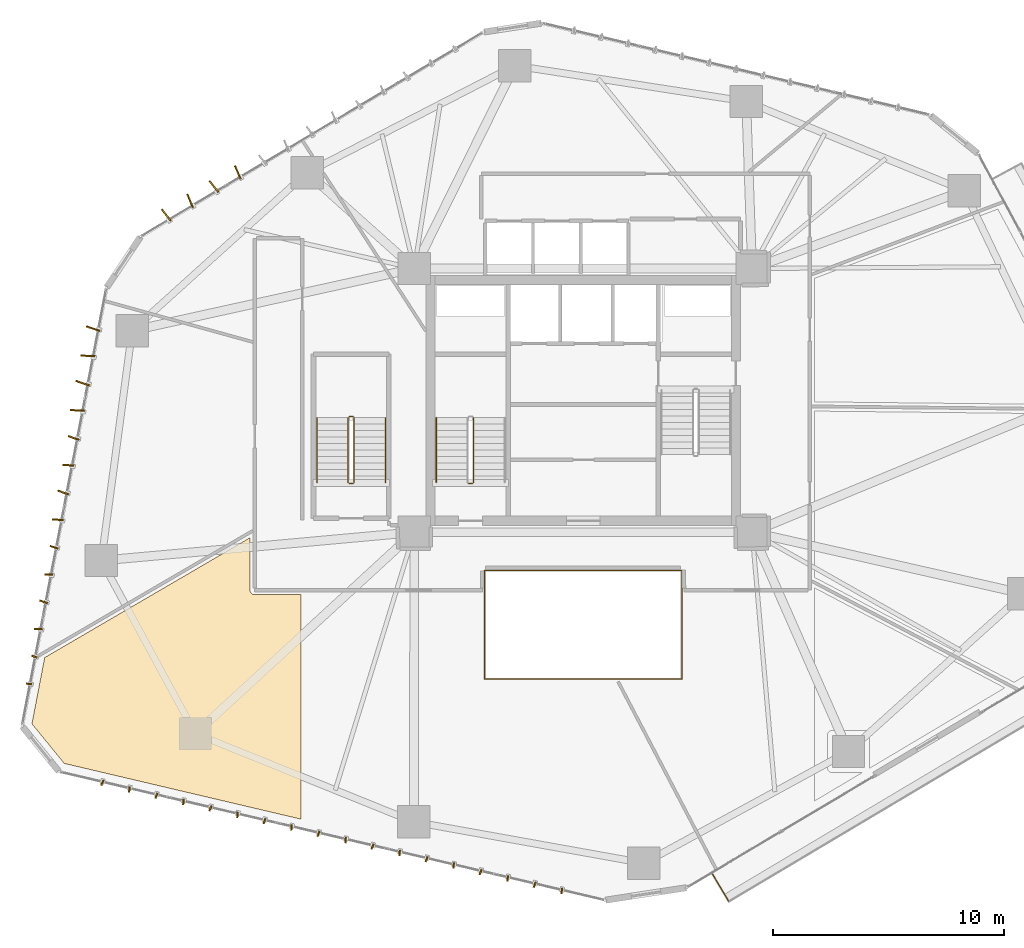
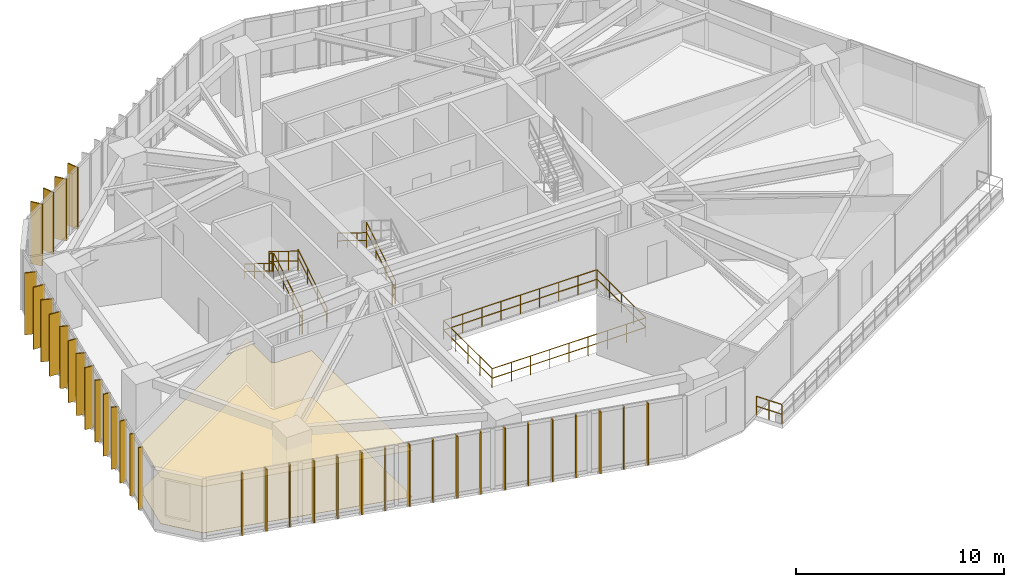
# One storey, part 20 of 23: 36 shading devices, 14 railings, 2 coverings.
"""IFC4 building model written with IfcOpenShell, lengths in metres."""

from ifc_helpers import new_model, si_unit, direction, frame, origin, origin_2d, place, context, subcontext, project, spatial, polyline, rectangle, circle, outline, extrude, source, transform, mapped, material, layer, layer_set, type_object, type_shapes, element, save


model = new_model("IFC4")

# Units and contexts
model_context = context("Model", 3, precision=1e-05, world=origin(), true_north=direction((0.0, 1.0)))
body_context = subcontext(model_context, "Body", "Model", "MODEL_VIEW")
ifc_project = project(units=[si_unit("LENGTHUNIT", "METRE"), si_unit("AREAUNIT", "SQUARE_METRE"), si_unit("VOLUMEUNIT", "CUBIC_METRE"), si_unit("PLANEANGLEUNIT", "RADIAN"), si_unit("MASSUNIT", "GRAM", prefix="KILO")], contexts=[model_context])

# Site, building, storey
site_placement = place(None, origin())
site = spatial("IfcSite", under=ifc_project, at=site_placement, CompositionType="ELEMENT")
building_placement = place(site_placement, origin())
building = spatial("IfcBuilding", under=site, at=building_placement, Name="Talar Marvaseh", CompositionType="ELEMENT")
storey_placement = place(building_placement, frame((0.0, 0.0, 50.60009765625)))
storey = spatial("IfcBuildingStorey", under=building, at=storey_placement, Name="L12", CompositionType="ELEMENT", Elevation=50.60009765625)

# Railings
ifc_material_1 = material(Name="Stainless Steel Grade 316", Category="steel")
railing_type_1 = type_object("IfcRailingType", Name="Brushed Stainless Wall Pitch Handrail 900", PredefinedType="HANDRAIL", material=ifc_material_1)
railing_1_placement = place(storey_placement, frame((19.64990234375, 30.449951171875, 2.072509765625)))
element("IfcRailing", 1, at=railing_1_placement, inside=storey, type_object=railing_type_1, Name="L12 ST-1 stair handrail 2", PredefinedType="HANDRAIL", context=body_context, shape_type="SweptSolid", body=[
    extrude(circle(Radius=0.02392578125, at=origin_2d()), frame((0.0, 0.0, 0.8759765625), z_axis=(0.0, -0.851089632645, 0.525020415988), x_axis=(1.0, 0.0, 0.0)), (0.0, 0.0, 1.0), 3.2900390625),
    extrude(circle(Radius=0.02392578125, at=origin_2d()), frame((0.0, 0.0, 0.42578125), z_axis=(0.0, -0.851089632645, 0.525020415988), x_axis=(1.0, 0.0, 0.0)), (0.0, 0.0, 1.0), 3.2900390625),
    extrude(circle(Radius=0.02099609375, at=origin_2d()), origin(), (0.0, 0.0, 1.0), 0.851806640625),
    extrude(circle(Radius=0.02099609375, at=origin_2d()), frame((0.0, -0.933349609375, 0.57568359375)), (0.0, 0.0, 1.0), 0.851806640625),
    extrude(circle(Radius=0.02099609375, at=origin_2d()), frame((0.0, -1.86669921875, 1.151611328125)), (0.0, 0.0, 1.0), 0.851806640625),
    extrude(circle(Radius=0.02099609375, at=origin_2d()), frame((0.0, -2.800048828125, 1.727294921875)), (0.0, 0.0, 1.0), 0.851806640625),
])
railing_2_placement = place(storey_placement, frame((17.449951171875, 27.64990234375, 0.172607421875)))
element("IfcRailing", 2, at=railing_2_placement, inside=storey, type_object=railing_type_1, Name="L12 ST-3 stair handrail 1", PredefinedType="HANDRAIL", context=body_context, shape_type="SweptSolid", body=[
    extrude(circle(Radius=0.02392578125, at=origin_2d()), frame((0.0, 0.0, 0.8759765625), z_axis=(0.0, 0.851089632645, 0.525020415988), x_axis=(-1.0, 0.0, 0.0)), (0.0, 0.0, 1.0), 3.2900390625),
    extrude(circle(Radius=0.02392578125, at=origin_2d()), frame((0.0, 0.0, 0.42578125), z_axis=(0.0, 0.851089632645, 0.525020415988), x_axis=(-1.0, 0.0, 0.0)), (0.0, 0.0, 1.0), 3.2900390625),
    extrude(circle(Radius=0.02099609375, at=origin_2d()), origin(), (0.0, 0.0, 1.0), 0.851806640625),
    extrude(circle(Radius=0.02099609375, at=origin_2d()), frame((0.0, 0.933349609375, 0.57568359375)), (0.0, 0.0, 1.0), 0.851806640625),
    extrude(circle(Radius=0.02099609375, at=origin_2d()), frame((0.0, 1.86669921875, 1.151611328125)), (0.0, 0.0, 1.0), 0.851806640625),
    extrude(circle(Radius=0.02099609375, at=origin_2d()), frame((0.0, 2.800048828125, 1.727294921875)), (0.0, 0.0, 1.0), 0.851806640625),
])
railing_3_placement = place(storey_placement, frame((14.489990234375, 30.449951171875, 2.072509765625)))
element("IfcRailing", 3, at=railing_3_placement, inside=storey, type_object=railing_type_1, Name="L12 ST-3 stair handrail 2", PredefinedType="HANDRAIL", context=body_context, shape_type="SweptSolid", body=[
    extrude(circle(Radius=0.02392578125, at=origin_2d()), frame((0.0, 0.0, 0.8759765625), z_axis=(0.0, -0.851089632645, 0.525020415988), x_axis=(1.0, 0.0, 0.0)), (0.0, 0.0, 1.0), 3.2900390625),
    extrude(circle(Radius=0.02392578125, at=origin_2d()), frame((0.0, 0.0, 0.42578125), z_axis=(0.0, -0.851089632645, 0.525020415988), x_axis=(1.0, 0.0, 0.0)), (0.0, 0.0, 1.0), 3.2900390625),
    extrude(circle(Radius=0.02099609375, at=origin_2d()), origin(), (0.0, 0.0, 1.0), 0.851806640625),
    extrude(circle(Radius=0.02099609375, at=origin_2d()), frame((0.0, -0.933349609375, 0.57568359375)), (0.0, 0.0, 1.0), 0.851806640625),
    extrude(circle(Radius=0.02099609375, at=origin_2d()), frame((0.0, -1.86669921875, 1.151611328125)), (0.0, 0.0, 1.0), 0.851806640625),
    extrude(circle(Radius=0.02099609375, at=origin_2d()), frame((0.0, -2.800048828125, 1.727294921875)), (0.0, 0.0, 1.0), 0.851806640625),
])
ifc_material_2 = material(Name="Tempered Clear Glass", Category="glass")
railing_type_2 = type_object("IfcRailingType", Name="External Laminated Glass Terrace Balustrade 1150", PredefinedType="BALUSTRADE", material=ifc_material_2)
railing_4_placement = place(storey_placement, frame((32.2890625, 9.54833984375, 0.0)))
element("IfcRailing", 4, at=railing_4_placement, inside=storey, type_object=railing_type_2, Name="L12 External Terrace Balustrade 2 3", PredefinedType="BALUSTRADE", context=body_context, shape_type="SweptSolid", body=[
    extrude(circle(Radius=0.02392578125, at=origin_2d()), frame((0.0, 0.0, 1.1259765625), z_axis=(-0.511130709238, 0.859502994802, 0.0), x_axis=(-0.859502994802, -0.511130709238, 0.0)), (0.0, 0.0, 1.0), 1.409912109375),
    extrude(circle(Radius=0.02392578125, at=origin_2d()), frame((0.0, 0.0, 0.55078125), z_axis=(-0.511130709238, 0.859502994802, 0.0), x_axis=(-0.859502994802, -0.511130709238, 0.0)), (0.0, 0.0, 1.0), 1.409912109375),
    extrude(circle(Radius=0.02099609375, at=origin_2d()), origin(), (0.0, 0.0, 1.0), 1.101806640625),
    extrude(circle(Radius=0.02099609375, at=origin_2d()), frame((-0.3603515625, 0.60595703125, 0.0)), (0.0, 0.0, 1.0), 1.101806640625),
    extrude(circle(Radius=0.02099609375, at=origin_2d()), frame((-0.720703125, 1.2119140625, 0.0)), (0.0, 0.0, 1.0), 1.101806640625),
])
railing_type_3 = type_object("IfcRailingType", Name="Interior Atrium Edge Balustrade 1120", PredefinedType="BALUSTRADE", material=ifc_material_2)
railing_5_placement = place(storey_placement, frame((21.729736328125, 19.16162109375, 0.0)))
element("IfcRailing", 5, at=railing_5_placement, inside=storey, type_object=railing_type_3, Name="L12 Internal Daylight Atrium Balustrade 1", PredefinedType="BALUSTRADE", context=body_context, shape_type="SweptSolid", body=[
    extrude(circle(Radius=0.02392578125, at=origin_2d()), frame((0.0, 0.0, 1.09619140625), z_axis=(1.0, 0.0, 0.0), x_axis=(0.0, 1.0, 0.0)), (0.0, 0.0, 1.0), 8.54052734375),
    extrude(circle(Radius=0.02392578125, at=origin_2d()), frame((0.0, 0.0, 0.5361328125), z_axis=(1.0, 0.0, 0.0), x_axis=(0.0, 1.0, 0.0)), (0.0, 0.0, 1.0), 8.54052734375),
    extrude(circle(Radius=0.02099609375, at=origin_2d()), origin(), (0.0, 0.0, 1.0), 1.072021484375),
    extrude(circle(Radius=0.02099609375, at=origin_2d()), frame((1.067626953125, 0.0, 0.0)), (0.0, 0.0, 1.0), 1.072021484375),
    extrude(circle(Radius=0.02099609375, at=origin_2d()), frame((2.13525390625, 0.0, 0.0)), (0.0, 0.0, 1.0), 1.072021484375),
    extrude(circle(Radius=0.02099609375, at=origin_2d()), frame((3.20263671875, 0.0, 0.0)), (0.0, 0.0, 1.0), 1.072021484375),
    extrude(circle(Radius=0.02099609375, at=origin_2d()), frame((4.270263671875, 0.0, 0.0)), (0.0, 0.0, 1.0), 1.072021484375),
    extrude(circle(Radius=0.02099609375, at=origin_2d()), frame((5.337890625, 0.0, 0.0)), (0.0, 0.0, 1.0), 1.072021484375),
    extrude(circle(Radius=0.02099609375, at=origin_2d()), frame((6.4052734375, 0.0, 0.0)), (0.0, 0.0, 1.0), 1.072021484375),
    extrude(circle(Radius=0.02099609375, at=origin_2d()), frame((7.472900390625, 0.0, 0.0)), (0.0, 0.0, 1.0), 1.072021484375),
    extrude(circle(Radius=0.02099609375, at=origin_2d()), frame((8.54052734375, 0.0, 0.0)), (0.0, 0.0, 1.0), 1.072021484375),
])
railing_6_placement = place(storey_placement, frame((30.270263671875, 19.16162109375, 0.0)))
element("IfcRailing", 6, at=railing_6_placement, inside=storey, type_object=railing_type_3, Name="L12 Internal Daylight Atrium Balustrade 2", PredefinedType="BALUSTRADE", context=body_context, shape_type="SweptSolid", body=[
    extrude(circle(Radius=0.02392578125, at=origin_2d()), frame((0.0, 0.0, 1.09619140625), z_axis=(0.0, 1.0, 0.0), x_axis=(-1.0, 0.0, 0.0)), (0.0, 0.0, 1.0), 4.6767578125),
    extrude(circle(Radius=0.02392578125, at=origin_2d()), frame((0.0, 0.0, 0.5361328125), z_axis=(0.0, 1.0, 0.0), x_axis=(-1.0, 0.0, 0.0)), (0.0, 0.0, 1.0), 4.6767578125),
    extrude(circle(Radius=0.02099609375, at=origin_2d()), origin(), (0.0, 0.0, 1.0), 1.072021484375),
    extrude(circle(Radius=0.02099609375, at=origin_2d()), frame((0.0, 1.169189453125, 0.0)), (0.0, 0.0, 1.0), 1.072021484375),
    extrude(circle(Radius=0.02099609375, at=origin_2d()), frame((0.0, 2.33837890625, 0.0)), (0.0, 0.0, 1.0), 1.072021484375),
    extrude(circle(Radius=0.02099609375, at=origin_2d()), frame((0.0, 3.507568359375, 0.0)), (0.0, 0.0, 1.0), 1.072021484375),
    extrude(circle(Radius=0.02099609375, at=origin_2d()), frame((0.0, 4.6767578125, 0.0)), (0.0, 0.0, 1.0), 1.072021484375),
])
railing_7_placement = place(storey_placement, frame((30.270263671875, 23.83837890625, 0.0)))
element("IfcRailing", 7, at=railing_7_placement, inside=storey, type_object=railing_type_3, Name="L12 Internal Daylight Atrium Balustrade 3", PredefinedType="BALUSTRADE", context=body_context, shape_type="SweptSolid", body=[
    extrude(circle(Radius=0.02392578125, at=origin_2d()), frame((0.0, 0.0, 1.09619140625), z_axis=(-1.0, 0.0, 0.0), x_axis=(0.0, -1.0, 0.0)), (0.0, 0.0, 1.0), 8.54052734375),
    extrude(circle(Radius=0.02392578125, at=origin_2d()), frame((0.0, 0.0, 0.5361328125), z_axis=(-1.0, 0.0, 0.0), x_axis=(0.0, -1.0, 0.0)), (0.0, 0.0, 1.0), 8.54052734375),
    extrude(circle(Radius=0.02099609375, at=origin_2d()), origin(), (0.0, 0.0, 1.0), 1.072021484375),
    extrude(circle(Radius=0.02099609375, at=origin_2d()), frame((-1.067626953125, 0.0, 0.0)), (0.0, 0.0, 1.0), 1.072021484375),
    extrude(circle(Radius=0.02099609375, at=origin_2d()), frame((-2.13525390625, 0.0, 0.0)), (0.0, 0.0, 1.0), 1.072021484375),
    extrude(circle(Radius=0.02099609375, at=origin_2d()), frame((-3.20263671875, 0.0, 0.0)), (0.0, 0.0, 1.0), 1.072021484375),
    extrude(circle(Radius=0.02099609375, at=origin_2d()), frame((-4.270263671875, 0.0, 0.0)), (0.0, 0.0, 1.0), 1.072021484375),
    extrude(circle(Radius=0.02099609375, at=origin_2d()), frame((-5.337890625, 0.0, 0.0)), (0.0, 0.0, 1.0), 1.072021484375),
    extrude(circle(Radius=0.02099609375, at=origin_2d()), frame((-6.4052734375, 0.0, 0.0)), (0.0, 0.0, 1.0), 1.072021484375),
    extrude(circle(Radius=0.02099609375, at=origin_2d()), frame((-7.472900390625, 0.0, 0.0)), (0.0, 0.0, 1.0), 1.072021484375),
    extrude(circle(Radius=0.02099609375, at=origin_2d()), frame((-8.54052734375, 0.0, 0.0)), (0.0, 0.0, 1.0), 1.072021484375),
])
railing_8_placement = place(storey_placement, frame((21.729736328125, 23.83837890625, 0.0)))
element("IfcRailing", 8, at=railing_8_placement, inside=storey, type_object=railing_type_3, Name="L12 Internal Daylight Atrium Balustrade 4", PredefinedType="BALUSTRADE", context=body_context, shape_type="SweptSolid", body=[
    extrude(circle(Radius=0.02392578125, at=origin_2d()), frame((0.0, 0.0, 1.09619140625), z_axis=(0.0, -1.0, 0.0), x_axis=(1.0, 0.0, 0.0)), (0.0, 0.0, 1.0), 4.6767578125),
    extrude(circle(Radius=0.02392578125, at=origin_2d()), frame((0.0, 0.0, 0.5361328125), z_axis=(0.0, -1.0, 0.0), x_axis=(1.0, 0.0, 0.0)), (0.0, 0.0, 1.0), 4.6767578125),
    extrude(circle(Radius=0.02099609375, at=origin_2d()), origin(), (0.0, 0.0, 1.0), 1.072021484375),
    extrude(circle(Radius=0.02099609375, at=origin_2d()), frame((0.0, -1.169189453125, 0.0)), (0.0, 0.0, 1.0), 1.072021484375),
    extrude(circle(Radius=0.02099609375, at=origin_2d()), frame((0.0, -2.33837890625, 0.0)), (0.0, 0.0, 1.0), 1.072021484375),
    extrude(circle(Radius=0.02099609375, at=origin_2d()), frame((0.0, -3.507568359375, 0.0)), (0.0, 0.0, 1.0), 1.072021484375),
    extrude(circle(Radius=0.02099609375, at=origin_2d()), frame((0.0, -4.6767578125, 0.0)), (0.0, 0.0, 1.0), 1.072021484375),
])
railing_type_4 = type_object("IfcRailingType", Name="Painted Steel Core Stair Well Guardrail 1150", PredefinedType="GUARDRAIL", material=ifc_material_1)
railing_9_placement = place(storey_placement, frame((21.260009765625, 27.64990234375, 0.172607421875)))
element("IfcRailing", 9, at=railing_9_placement, inside=storey, type_object=railing_type_4, Name="L12 ST-1 stair guard 1", PredefinedType="GUARDRAIL", context=body_context, shape_type="SweptSolid", body=[
    extrude(circle(Radius=0.02392578125, at=origin_2d()), frame((0.0, 0.0, 1.1259765625), z_axis=(0.0, 0.851089632645, 0.525020415988), x_axis=(-1.0, 0.0, 0.0)), (0.0, 0.0, 1.0), 3.2900390625),
    extrude(circle(Radius=0.02392578125, at=origin_2d()), frame((0.0, 0.0, 0.55078125), z_axis=(0.0, 0.851089632645, 0.525020415988), x_axis=(-1.0, 0.0, 0.0)), (0.0, 0.0, 1.0), 3.2900390625),
    extrude(circle(Radius=0.02099609375, at=origin_2d()), origin(), (0.0, 0.0, 1.0), 1.101806640625),
    extrude(circle(Radius=0.02099609375, at=origin_2d()), frame((0.0, 0.933349609375, 0.57568359375)), (0.0, 0.0, 1.0), 1.101806640625),
    extrude(circle(Radius=0.02099609375, at=origin_2d()), frame((0.0, 1.86669921875, 1.151611328125)), (0.0, 0.0, 1.0), 1.101806640625),
    extrude(circle(Radius=0.02099609375, at=origin_2d()), frame((0.0, 2.800048828125, 1.727294921875)), (0.0, 0.0, 1.0), 1.101806640625),
])
railing_10_placement = place(storey_placement, frame((21.2099609375, 27.60009765625, 0.0)))
element("IfcRailing", 10, at=railing_10_placement, inside=storey, type_object=railing_type_4, Name="L12 ST-1 stair guard 4", PredefinedType="GUARDRAIL", context=body_context, shape_type="SweptSolid", body=[
    extrude(circle(Radius=0.02392578125, at=origin_2d()), frame((0.0, 0.0, 1.1259765625), z_axis=(-1.0, 0.0, 0.0), x_axis=(0.0, -1.0, 0.0)), (0.0, 0.0, 1.0), 0.159912109375),
    extrude(circle(Radius=0.02392578125, at=origin_2d()), frame((0.0, 0.0, 0.55078125), z_axis=(-1.0, 0.0, 0.0), x_axis=(0.0, -1.0, 0.0)), (0.0, 0.0, 1.0), 0.159912109375),
    extrude(circle(Radius=0.02099609375, at=origin_2d()), origin(), (0.0, 0.0, 1.0), 1.101806640625),
    extrude(circle(Radius=0.02099609375, at=origin_2d()), frame((-0.159912109375, 0.0, 0.0)), (0.0, 0.0, 1.0), 1.101806640625),
])
railing_11_placement = place(storey_placement, frame((16.10009765625, 27.64990234375, 0.172607421875)))
element("IfcRailing", 11, at=railing_11_placement, inside=storey, type_object=railing_type_4, Name="L12 ST-3 stair guard 1", PredefinedType="GUARDRAIL", context=body_context, shape_type="SweptSolid", body=[
    extrude(circle(Radius=0.02392578125, at=origin_2d()), frame((0.0, 0.0, 1.1259765625), z_axis=(0.0, 0.851089632645, 0.525020415988), x_axis=(-1.0, 0.0, 0.0)), (0.0, 0.0, 1.0), 3.2900390625),
    extrude(circle(Radius=0.02392578125, at=origin_2d()), frame((0.0, 0.0, 0.55078125), z_axis=(0.0, 0.851089632645, 0.525020415988), x_axis=(-1.0, 0.0, 0.0)), (0.0, 0.0, 1.0), 3.2900390625),
    extrude(circle(Radius=0.02099609375, at=origin_2d()), origin(), (0.0, 0.0, 1.0), 1.101806640625),
    extrude(circle(Radius=0.02099609375, at=origin_2d()), frame((0.0, 0.933349609375, 0.57568359375)), (0.0, 0.0, 1.0), 1.101806640625),
    extrude(circle(Radius=0.02099609375, at=origin_2d()), frame((0.0, 1.86669921875, 1.151611328125)), (0.0, 0.0, 1.0), 1.101806640625),
    extrude(circle(Radius=0.02099609375, at=origin_2d()), frame((0.0, 2.800048828125, 1.727294921875)), (0.0, 0.0, 1.0), 1.101806640625),
])
railing_12_placement = place(storey_placement, frame((16.050048828125, 30.5, 1.89990234375)))
element("IfcRailing", 12, at=railing_12_placement, inside=storey, type_object=railing_type_4, Name="L12 ST-3 stair guard 2", PredefinedType="GUARDRAIL", context=body_context, shape_type="SweptSolid", body=[
    extrude(circle(Radius=0.02392578125, at=origin_2d()), frame((0.0, 0.0, 1.1259765625), z_axis=(-1.0, 0.0, 0.0), x_axis=(0.0, -1.0, 0.0)), (0.0, 0.0, 1.0), 0.16015625),
    extrude(circle(Radius=0.02392578125, at=origin_2d()), frame((0.0, 0.0, 0.55078125), z_axis=(-1.0, 0.0, 0.0), x_axis=(0.0, -1.0, 0.0)), (0.0, 0.0, 1.0), 0.16015625),
    extrude(circle(Radius=0.02099609375, at=origin_2d()), origin(), (0.0, 0.0, 1.0), 1.101806640625),
    extrude(circle(Radius=0.02099609375, at=origin_2d()), frame((-0.16015625, 0.0, 0.0)), (0.0, 0.0, 1.0), 1.101806640625),
])
railing_13_placement = place(storey_placement, frame((15.840087890625, 30.449951171875, 2.072509765625)))
element("IfcRailing", 13, at=railing_13_placement, inside=storey, type_object=railing_type_4, Name="L12 ST-3 stair guard 3", PredefinedType="GUARDRAIL", context=body_context, shape_type="SweptSolid", body=[
    extrude(circle(Radius=0.02392578125, at=origin_2d()), frame((0.0, 0.0, 1.1259765625), z_axis=(0.0, -0.851089632645, 0.525020415988), x_axis=(1.0, 0.0, 0.0)), (0.0, 0.0, 1.0), 3.2900390625),
    extrude(circle(Radius=0.02392578125, at=origin_2d()), frame((0.0, 0.0, 0.55078125), z_axis=(0.0, -0.851089632645, 0.525020415988), x_axis=(1.0, 0.0, 0.0)), (0.0, 0.0, 1.0), 3.2900390625),
    extrude(circle(Radius=0.02099609375, at=origin_2d()), origin(), (0.0, 0.0, 1.0), 1.101806640625),
    extrude(circle(Radius=0.02099609375, at=origin_2d()), frame((0.0, -0.933349609375, 0.57568359375)), (0.0, 0.0, 1.0), 1.101806640625),
    extrude(circle(Radius=0.02099609375, at=origin_2d()), frame((0.0, -1.86669921875, 1.151611328125)), (0.0, 0.0, 1.0), 1.101806640625),
    extrude(circle(Radius=0.02099609375, at=origin_2d()), frame((0.0, -2.800048828125, 1.727294921875)), (0.0, 0.0, 1.0), 1.101806640625),
])
railing_14_placement = place(storey_placement, frame((16.050048828125, 27.60009765625, 0.0)))
element("IfcRailing", 14, at=railing_14_placement, inside=storey, type_object=railing_type_4, Name="L12 ST-3 stair guard 4", PredefinedType="GUARDRAIL", context=body_context, shape_type="SweptSolid", body=[
    extrude(circle(Radius=0.02392578125, at=origin_2d()), frame((0.0, 0.0, 1.1259765625), z_axis=(-1.0, 0.0, 0.0), x_axis=(0.0, -1.0, 0.0)), (0.0, 0.0, 1.0), 0.16015625),
    extrude(circle(Radius=0.02392578125, at=origin_2d()), frame((0.0, 0.0, 0.55078125), z_axis=(-1.0, 0.0, 0.0), x_axis=(0.0, -1.0, 0.0)), (0.0, 0.0, 1.0), 0.16015625),
    extrude(circle(Radius=0.02099609375, at=origin_2d()), origin(), (0.0, 0.0, 1.0), 1.101806640625),
    extrude(circle(Radius=0.02099609375, at=origin_2d()), frame((-0.16015625, 0.0, 0.0)), (0.0, 0.0, 1.0), 1.101806640625),
])

# Coverings
ifc_material_3 = material(Name="Mineral Fibre Acoustic Ceiling")
ifc_layer_1 = layer(ifc_material_3, 0.02490234375)
ifc_layer_set_1 = layer_set([ifc_layer_1], Name="Mineral Fibre Acoustic Ceiling")
covering_type_1 = type_object("IfcCoveringType", Name="Perforated Mineral Fibre Acoustic Suspended Ceiling", PredefinedType="CEILING", material=ifc_layer_set_1)
covering_1_placement = place(storey_placement, frame((0.0, 0.0, 2.719970703125)))
element("IfcCovering", 15, at=covering_1_placement, inside=storey, type_object=covering_type_1, Name="L12 Exhibition Gallery Acoustic Ceiling", PredefinedType="CEILING", context=body_context, shape_type="SweptSolid", body=[
    extrude(outline(polyline([(2.721923828125, 20.08251953125), (11.60009765625, 25.264892578125), (11.60009765625, 23.0), (11.60107421875, 22.98046875), (11.603759765625, 22.9609375), (11.608642578125, 22.94189453125), (11.615234375, 22.923583984375), (11.62353515625, 22.90576171875), (11.6337890625, 22.888916015625), (11.6455078125, 22.873046875), (11.65869140625, 22.858642578125), (11.673095703125, 22.845458984375), (11.68896484375, 22.833740234375), (11.705810546875, 22.823486328125), (11.723388671875, 22.815185546875), (11.741943359375, 22.80859375), (11.760986328125, 22.8037109375), (11.780517578125, 22.801025390625), (11.800048828125, 22.800048828125), (13.800048828125, 22.800048828125), (13.800048828125, 13.097412109375), (3.566162109375, 15.505615234375), (2.17041015625, 17.218505859375), (2.721923828125, 20.08251953125)])), origin(), (0.0, 0.0, 1.0), 0.02490234375),
])
ifc_material_4 = material(Name="Porcelain Stoneware Tile", Category="masonry")
ifc_layer_2 = layer(ifc_material_4, 0.02001953125)
ifc_layer_set_2 = layer_set([ifc_layer_2], Name="Porcelain Stoneware Tile")
covering_type_2 = type_object("IfcCoveringType", Name="Polished Porcelain Stoneware Gallery Flooring", PredefinedType="FLOORING", material=ifc_layer_set_2)
covering_2_placement = place(storey_placement, origin())
element("IfcCovering", 16, at=covering_2_placement, inside=storey, type_object=covering_type_2, Name="L12 Exhibition Gallery Flooring", PredefinedType="FLOORING", context=body_context, shape_type="SweptSolid", body=[
    extrude(outline(polyline([(2.721923828125, 20.08251953125), (11.60009765625, 25.264892578125), (11.60009765625, 23.0), (11.60107421875, 22.98046875), (11.603759765625, 22.9609375), (11.608642578125, 22.94189453125), (11.615234375, 22.923583984375), (11.62353515625, 22.90576171875), (11.6337890625, 22.888916015625), (11.6455078125, 22.873046875), (11.65869140625, 22.858642578125), (11.673095703125, 22.845458984375), (11.68896484375, 22.833740234375), (11.705810546875, 22.823486328125), (11.723388671875, 22.815185546875), (11.741943359375, 22.80859375), (11.760986328125, 22.8037109375), (11.780517578125, 22.801025390625), (11.800048828125, 22.800048828125), (13.800048828125, 22.800048828125), (13.800048828125, 13.097412109375), (3.566162109375, 15.505615234375), (2.17041015625, 17.218505859375), (2.721923828125, 20.08251953125)])), origin(), (0.0, 0.0, 1.0), 0.02001953125),
])

# Shading devices
ifc_material_5 = material(Name="Anodised Champagne Bronze Aluminium", Category="aluminium")
ifc_layer_3 = layer(ifc_material_5, 0.06494140625)
ifc_layer_set_3 = layer_set([ifc_layer_3], Name="Anodised Champagne Bronze Aluminium")
shading_device_type_1 = type_object("IfcShadingDeviceType", Name="Sawtooth Champagne Bronze Vertical Fin 240", PredefinedType="USERDEFINED", material=ifc_layer_set_3)
shared_shape_1 = source(origin(), body_context, "Body", "SweptSolid", [
    extrude(rectangle(XDim=0.239990234375, YDim=0.06494140625, at=origin_2d()), origin(), (0.0, 0.0, 1.0), 3.639892578125),
])
type_shapes(shading_device_type_1, [shared_shape_1])
for number, where, z_axis, x_axis, name in (
    (17, (2.050048828125, 18.947021484375, -0.1201171875), (0.0, 0.0, 1.0), (-0.998719357184, 0.050592940077, 0.0), "L12 Sawtooth Vertical Solar Fin"),
    (18, (2.277099609375, 20.125244140625, -0.1201171875), (0.0, 0.0, 1.0), (-0.946085358828, 0.323917418198, 0.0), "L12 Sawtooth Vertical Solar Fin"),
    (19, (25.07177734375, 9.988037109375, -0.1201171875), (0.0, 0.0, 1.0), (-0.091327816524, -0.995820882453, 0.0), "L12 Sawtooth Vertical Solar Fin"),
    (20, (23.903564453125, 10.262939453125, -0.1201171875), (0.0, 0.0, 1.0), (-0.362275366705, -0.932071112458, 0.0), "L12 Sawtooth Vertical Solar Fin"),
    (21, (22.735595703125, 10.537841796875, -0.1201171875), (0.0, 0.0, 1.0), (-0.091327816524, -0.995820882453, 0.0), "L12 Sawtooth Vertical Solar Fin"),
    (22, (21.5673828125, 10.8125, -0.1201171875), (0.0, 0.0, 1.0), (-0.362275366705, -0.932071112458, 0.0), "L12 Sawtooth Vertical Solar Fin"),
    (23, (20.3994140625, 11.08740234375, -0.1201171875), (0.0, 0.0, 1.0), (-0.091327816524, -0.995820882453, 0.0), "L12 Sawtooth Vertical Solar Fin"),
    (24, (19.231201171875, 11.3623046875, -0.1201171875), (0.0, 0.0, 1.0), (-0.362275366705, -0.932071112458, 0.0), "L12 Sawtooth Vertical Solar Fin"),
    (25, (18.06298828125, 11.63720703125, -0.1201171875), (0.0, 0.0, 1.0), (-0.091327816524, -0.995820882453, 0.0), "L12 Sawtooth Vertical Solar Fin"),
    (26, (16.89501953125, 11.912109375, -0.1201171875), (0.0, 0.0, 1.0), (-0.362275366705, -0.932071112458, 0.0), "L12 Sawtooth Vertical Solar Fin"),
    (27, (15.726806640625, 12.18701171875, -0.1201171875), (0.0, 0.0, 1.0), (-0.091327816524, -0.995820882453, 0.0), "L12 Sawtooth Vertical Solar Fin"),
    (28, (14.558837890625, 12.4619140625, -0.1201171875), (0.0, 0.0, 1.0), (-0.362275366705, -0.932071112458, 0.0), "L12 Sawtooth Vertical Solar Fin"),
    (29, (13.390625, 12.73681640625, -0.1201171875), (0.0, 0.0, 1.0), (-0.091327816524, -0.995820882453, 0.0), "L12 Sawtooth Vertical Solar Fin"),
    (30, (12.22265625, 13.01171875, -0.1201171875), (0.0, 0.0, 1.0), (-0.362275366705, -0.932071112458, 0.0), "L12 Sawtooth Vertical Solar Fin"),
    (31, (11.054443359375, 13.286376953125, -0.1201171875), (0.0, 0.0, 1.0), (-0.091327816524, -0.995820882453, 0.0), "L12 Sawtooth Vertical Solar Fin"),
    (32, (9.886474609375, 13.561279296875, -0.1201171875), (0.0, 0.0, 1.0), (-0.362275366705, -0.932071112458, 0.0), "L12 Sawtooth Vertical Solar Fin"),
    (33, (8.71826171875, 13.836181640625, -0.1201171875), (0.0, 0.0, 1.0), (-0.091327816524, -0.995820882453, 0.0), "L12 Sawtooth Vertical Solar Fin"),
    (34, (7.55029296875, 14.111083984375, -0.1201171875), (0.0, 0.0, 1.0), (-0.362275366705, -0.932071112458, 0.0), "L12 Sawtooth Vertical Solar Fin"),
    (35, (6.382080078125, 14.385986328125, -0.1201171875), (0.0, 0.0, 1.0), (-0.091327816524, -0.995820882453, 0.0), "L12 Sawtooth Vertical Solar Fin"),
    (36, (5.214111328125, 14.66064453125, -0.1201171875), (0.0, 0.0, 1.0), (-0.362275366705, -0.932071112458, 0.0), "L12 Sawtooth Vertical Solar Fin"),
):
    element("IfcShadingDevice", number, at=place(storey_placement, frame(where, z_axis=z_axis, x_axis=x_axis)), inside=storey, type_object=shading_device_type_1, Name=name, ObjectType="FIN", PredefinedType="USERDEFINED", context=body_context, shape_type="MappedRepresentation", body=[
        mapped(shared_shape_1, transform((0.0, 0.0, 0.0), x_axis=(1.0, 0.0, 0.0), y_axis=(0.0, 1.0, 0.0), z_axis=(0.0, 0.0, 1.0), scale=1.0)),
    ])
ifc_layer_4 = layer(ifc_material_5, 0.06494140625)
ifc_layer_set_4 = layer_set([ifc_layer_4], Name="Anodised Champagne Bronze Aluminium")
shading_device_type_2 = type_object("IfcShadingDeviceType", Name="Sawtooth Champagne Bronze Vertical Fin 360", PredefinedType="USERDEFINED", material=ifc_layer_set_4)
shared_shape_2 = source(origin(), body_context, "Body", "SweptSolid", [
    extrude(rectangle(XDim=0.360107421875, YDim=0.06494140625, at=origin_2d()), origin(), (0.0, 0.0, 1.0), 3.639892578125),
])
type_shapes(shading_device_type_2, [shared_shape_2])
for number, where, z_axis, x_axis, name in (
    (37, (2.445068359375, 21.31494140625, -0.1201171875), (0.0, 0.0, 1.0), (-0.998719357184, 0.050592940077, 0.0), "L12 Sawtooth Vertical Solar Fin"),
    (38, (2.672119140625, 22.4931640625, -0.1201171875), (0.0, 0.0, 1.0), (-0.946085358828, 0.323917418198, 0.0), "L12 Sawtooth Vertical Solar Fin"),
    (39, (2.899169921875, 23.671630859375, -0.1201171875), (0.0, 0.0, 1.0), (-0.998719357184, 0.050592940077, 0.0), "L12 Sawtooth Vertical Solar Fin"),
    (40, (3.126220703125, 24.849853515625, -0.1201171875), (0.0, 0.0, 1.0), (-0.946085358828, 0.323917418198, 0.0), "L12 Sawtooth Vertical Solar Fin"),
):
    element("IfcShadingDevice", number, at=place(storey_placement, frame(where, z_axis=z_axis, x_axis=x_axis)), inside=storey, type_object=shading_device_type_2, Name=name, ObjectType="FIN", PredefinedType="USERDEFINED", context=body_context, shape_type="MappedRepresentation", body=[
        mapped(shared_shape_2, transform((0.0, 0.0, 0.0), x_axis=(1.0, 0.0, 0.0), y_axis=(0.0, 1.0, 0.0), z_axis=(0.0, 0.0, 1.0), scale=1.0)),
    ])
ifc_layer_5 = layer(ifc_material_5, 0.06494140625)
ifc_layer_set_5 = layer_set([ifc_layer_5], Name="Anodised Champagne Bronze Aluminium")
shading_device_type_3 = type_object("IfcShadingDeviceType", Name="Sawtooth Champagne Bronze Vertical Fin 480", PredefinedType="USERDEFINED", material=ifc_layer_set_5)
shared_shape_3 = source(origin(), body_context, "Body", "SweptSolid", [
    extrude(rectangle(XDim=0.47998046875, YDim=0.06494140625, at=origin_2d()), origin(), (0.0, 0.0, 1.0), 3.639892578125),
])
type_shapes(shading_device_type_3, [shared_shape_3])
for number, where, z_axis, x_axis, name in (
    (41, (3.294189453125, 26.03955078125, -0.1201171875), (0.0, 0.0, 1.0), (-0.998719357184, 0.050592940077, 0.0), "L12 Sawtooth Vertical Solar Fin"),
    (42, (3.521240234375, 27.218017578125, -0.1201171875), (0.0, 0.0, 1.0), (-0.946085358828, 0.323917418198, 0.0), "L12 Sawtooth Vertical Solar Fin"),
    (43, (3.748291015625, 28.396240234375, -0.1201171875), (0.0, 0.0, 1.0), (-0.998719357184, 0.050592940077, 0.0), "L12 Sawtooth Vertical Solar Fin"),
    (44, (3.97509765625, 29.57470703125, -0.1201171875), (0.0, 0.0, 1.0), (-0.946085358828, 0.323917418198, 0.0), "L12 Sawtooth Vertical Solar Fin"),
):
    element("IfcShadingDevice", number, at=place(storey_placement, frame(where, z_axis=z_axis, x_axis=x_axis)), inside=storey, type_object=shading_device_type_3, Name=name, ObjectType="FIN", PredefinedType="USERDEFINED", context=body_context, shape_type="MappedRepresentation", body=[
        mapped(shared_shape_3, transform((0.0, 0.0, 0.0), x_axis=(1.0, 0.0, 0.0), y_axis=(0.0, 1.0, 0.0), z_axis=(0.0, 0.0, 1.0), scale=1.0)),
    ])
ifc_layer_6 = layer(ifc_material_5, 0.06494140625)
ifc_layer_set_6 = layer_set([ifc_layer_6], Name="Anodised Champagne Bronze Aluminium")
shading_device_type_4 = type_object("IfcShadingDeviceType", Name="Sawtooth Champagne Bronze Vertical Fin 620", PredefinedType="USERDEFINED", material=ifc_layer_set_6)
shared_shape_4 = source(origin(), body_context, "Body", "SweptSolid", [
    extrude(rectangle(XDim=0.6201171875, YDim=0.06494140625, at=origin_2d()), origin(), (0.0, 0.0, 1.0), 3.639892578125),
])
type_shapes(shading_device_type_4, [shared_shape_4])
for number, where, z_axis, x_axis, name in (
    (45, (4.133544921875, 30.76611328125, -0.1201171875), (0.0, 0.0, 1.0), (-0.998719357184, 0.050592940077, 0.0), "L12 Sawtooth Vertical Solar Fin"),
    (46, (4.360595703125, 31.944580078125, -0.1201171875), (0.0, 0.0, 1.0), (-0.946085358828, 0.323917418198, 0.0), "L12 Sawtooth Vertical Solar Fin"),
    (47, (4.58740234375, 33.122802734375, -0.1201171875), (0.0, 0.0, 1.0), (-0.998719357184, 0.050592940077, 0.0), "L12 Sawtooth Vertical Solar Fin"),
    (48, (4.814453125, 34.30126953125, -0.1201171875), (0.0, 0.0, 1.0), (-0.946085358828, 0.323917418198, 0.0), "L12 Sawtooth Vertical Solar Fin"),
    (49, (7.97509765625, 39.212646484375, -0.1201171875), (0.0, 0.0, 1.0), (-0.626875813454, 0.779119191464, 0.0), "L12 Sawtooth Vertical Solar Fin"),
    (50, (9.005615234375, 39.827392578125, -0.1201171875), (0.0, 0.0, 1.0), (-0.387837353782, 0.92172782697, 0.0), "L12 Sawtooth Vertical Solar Fin"),
    (51, (10.0361328125, 40.442138671875, -0.1201171875), (0.0, 0.0, 1.0), (-0.626875813454, 0.779119191464, 0.0), "L12 Sawtooth Vertical Solar Fin"),
    (52, (11.06689453125, 41.056884765625, -0.1201171875), (0.0, 0.0, 1.0), (-0.387837353782, 0.92172782697, 0.0), "L12 Sawtooth Vertical Solar Fin"),
):
    element("IfcShadingDevice", number, at=place(storey_placement, frame(where, z_axis=z_axis, x_axis=x_axis)), inside=storey, type_object=shading_device_type_4, Name=name, ObjectType="FIN", PredefinedType="USERDEFINED", context=body_context, shape_type="MappedRepresentation", body=[
        mapped(shared_shape_4, transform((0.0, 0.0, 0.0), x_axis=(1.0, 0.0, 0.0), y_axis=(0.0, 1.0, 0.0), z_axis=(0.0, 0.0, 1.0), scale=1.0)),
    ])

save(model, "model.ifc")
